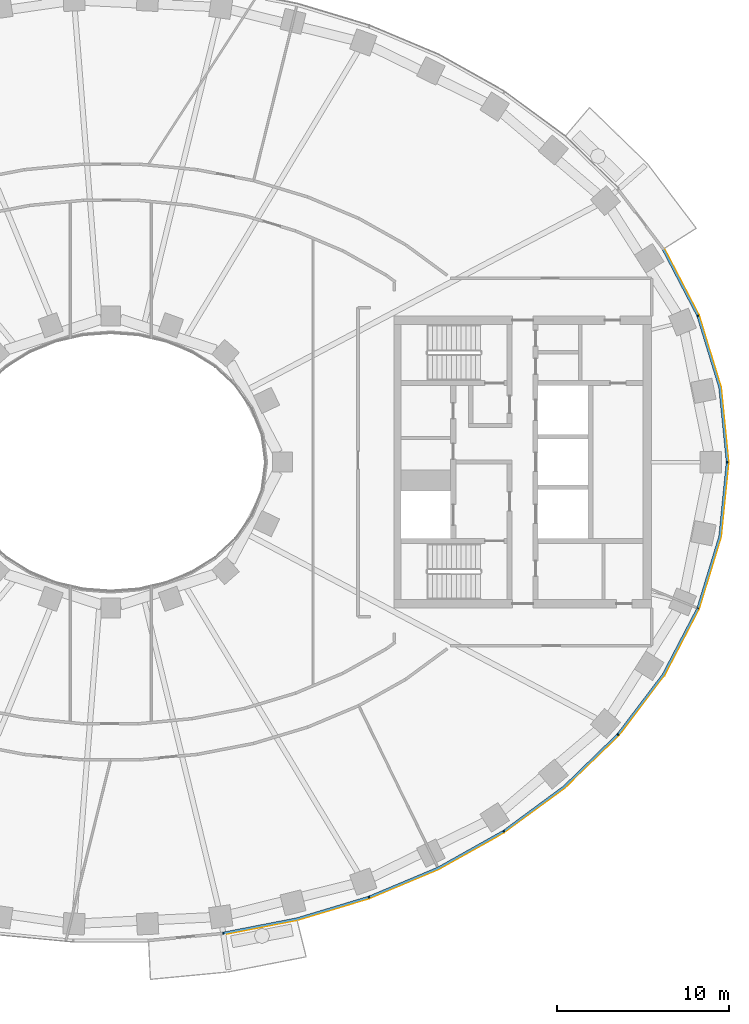
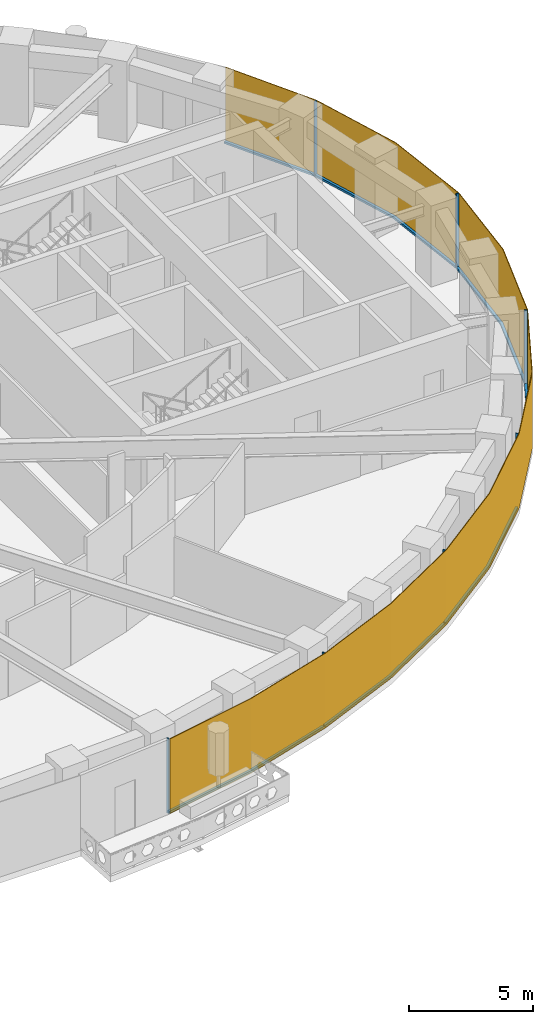
# One storey, part 10 of 16: 14 members, 1 curtain wall.
"""IFC4 building model written with IfcOpenShell, lengths in metres."""

from ifc_helpers import new_model, si_unit, direction, frame, origin, origin_2d, place, context, subcontext, project, spatial, polyline, rectangle, outline, extrude, material, layer, layer_set, material_profile, profile_set, type_object, element, aggregate, save


model = new_model("IFC4")

# Units and contexts
model_context = context("Model", 3, precision=1e-05, world=origin(), true_north=direction((0.0, 1.0)))
body_context = subcontext(model_context, "Body", "Model", "MODEL_VIEW")
ifc_project = project(units=[si_unit("LENGTHUNIT", "METRE"), si_unit("AREAUNIT", "SQUARE_METRE"), si_unit("VOLUMEUNIT", "CUBIC_METRE"), si_unit("PLANEANGLEUNIT", "RADIAN"), si_unit("MASSUNIT", "GRAM", prefix="KILO")], contexts=[model_context])

# Member
ifc_material_1 = material(Name="Aluminium 6063-T6 black anodised", Category="aluminium")
ifc_material_profile = material_profile(ifc_material_1, rectangle(XDim=0.1201171875, YDim=0.06005859375, at=origin_2d()), Name="120x60")
ifc_profile_set = profile_set([ifc_material_profile], Name="Aluminium 6063-T6 black anodised")
member_type_1 = type_object("IfcMemberType", Name="ENV-MULLION-A-120", PredefinedType="MULLION", material=ifc_profile_set)
site_placement = place(None, origin())
building_placement = place(site_placement, origin())
storey_placement = place(building_placement, frame((0.0, 0.0, 132.0)))
member_1_placement = place(storey_placement, frame((6.54638671875, -27.440185546875, 0.0), z_axis=(0.0, 0.0, 1.0), x_axis=(-0.143082012705, 0.989710835366, 0.0)))
member_1 = element("IfcMember", 1, at=member_1_placement, type_object=member_type_1, Name="Mullion A radial 37", PredefinedType="MULLION", context=body_context, shape_type="SweptSolid", body=[
    extrude(rectangle(XDim=0.1201171875, YDim=0.06005859375, at=origin_2d()), origin(), (0.0, 0.0, 1.0), 3.699951171875),
])

member_2_placement = place(storey_placement, frame((15.0341796875, -25.34375, 0.0), z_axis=(0.0, 0.0, 1.0), x_axis=(-0.338379256581, 0.941009818608, 0.0)))
member_2 = element("IfcMember", 2, at=member_2_placement, type_object=member_type_1, Name="Mullion A radial 39", PredefinedType="MULLION", context=body_context, shape_type="SweptSolid", body=[
    extrude(rectangle(XDim=0.1201171875, YDim=0.06005859375, at=origin_2d()), origin(), (0.0, 0.0, 1.0), 3.699951171875),
])

member_3_placement = place(storey_placement, frame((22.882568359375, -21.506591796875, 0.0), z_axis=(0.0, 0.0, 1.0), x_axis=(-0.542279153225, 0.840198381323, 0.0)))
member_3 = element("IfcMember", 3, at=member_3_placement, type_object=member_type_1, Name="Mullion A radial 41", PredefinedType="MULLION", context=body_context, shape_type="SweptSolid", body=[
    extrude(rectangle(XDim=0.1201171875, YDim=0.06005859375, at=origin_2d()), origin(), (0.0, 0.0, 1.0), 3.699951171875),
])

member_4_placement = place(storey_placement, frame((29.53857421875, -15.8671875, 0.0), z_axis=(0.0, 0.0, 1.0), x_axis=(-0.749047221705, 0.662516610853, 0.0)))
member_4 = element("IfcMember", 4, at=member_4_placement, type_object=member_type_1, Name="Mullion A radial 43", PredefinedType="MULLION", context=body_context, shape_type="SweptSolid", body=[
    extrude(rectangle(XDim=0.1201171875, YDim=0.06005859375, at=origin_2d()), origin(), (0.0, 0.0, 1.0), 3.699951171875),
])

member_5_placement = place(storey_placement, frame((34.19580078125, -8.513916015625, 0.0), z_axis=(0.0, 0.0, 1.0), x_axis=(-0.92546738067, 0.378827305398, 0.0)))
member_5 = element("IfcMember", 5, at=member_5_placement, type_object=member_type_1, Name="Mullion A radial 45", PredefinedType="MULLION", context=body_context, shape_type="SweptSolid", body=[
    extrude(rectangle(XDim=0.1201171875, YDim=0.06005859375, at=origin_2d()), origin(), (0.0, 0.0, 1.0), 3.699951171875),
])

member_6_placement = place(storey_placement, frame((35.907958984375, 0.0, 0.0), z_axis=(0.0, 0.0, 1.0), x_axis=(-1.0, 0.0, 0.0)))
member_6 = element("IfcMember", 6, at=member_6_placement, type_object=member_type_1, Name="Mullion A radial 01", PredefinedType="MULLION", context=body_context, shape_type="SweptSolid", body=[
    extrude(rectangle(XDim=0.1201171875, YDim=0.06005859375, at=origin_2d()), origin(), (0.0, 0.0, 1.0), 3.699951171875),
])

member_7_placement = place(storey_placement, frame((34.19580078125, 8.513916015625, 0.0), z_axis=(0.0, 0.0, 1.0), x_axis=(-0.92546738067, -0.378827305398, 0.0)))
member_7 = element("IfcMember", 7, at=member_7_placement, type_object=member_type_1, Name="Mullion A radial 03", PredefinedType="MULLION", context=body_context, shape_type="SweptSolid", body=[
    extrude(rectangle(XDim=0.1201171875, YDim=0.06005859375, at=origin_2d()), origin(), (0.0, 0.0, 1.0), 3.699951171875),
])

ifc_material_2 = material(Name="Aluminium 6063-T6 black anodised", Category="aluminium")
member_type_2 = type_object("IfcMemberType", Name="ENV-TRANSOM-A", PredefinedType="USERDEFINED", material=ifc_material_2)
member_8_placement = place(storey_placement, origin())
member_8 = element("IfcMember", 8, at=member_8_placement, type_object=member_type_2, Name="Transom A radial 37-39", ObjectType="TRANSOM", PredefinedType="USERDEFINED", context=body_context, shape_type="SweptSolid", body=[
    extrude(outline(polyline([(6.58251953125, -27.494140625), (10.857666015625, -26.6630859375), (15.027587890625, -25.408203125), (14.987060546875, -25.295166015625), (10.828857421875, -26.54638671875), (6.5654296875, -27.375244140625), (6.58251953125, -27.494140625)])), origin(), (0.0, 0.0, 1.0), 0.10009765625),
])

member_9_placement = place(storey_placement, origin())
member_9 = element("IfcMember", 9, at=member_9_placement, type_object=member_type_2, Name="Transom A radial 39-41", ObjectType="TRANSOM", PredefinedType="USERDEFINED", context=body_context, shape_type="SweptSolid", body=[
    extrude(outline(polyline([(15.080322265625, -25.389404296875), (19.093994140625, -23.701416015625), (22.890625, -21.570556640625), (22.825439453125, -21.469482421875), (19.041259765625, -23.593505859375), (15.03955078125, -25.276123046875), (15.080322265625, -25.389404296875)])), origin(), (0.0, 0.0, 1.0), 0.10009765625),
])

member_10_placement = place(storey_placement, origin())
member_10 = element("IfcMember", 10, at=member_10_placement, type_object=member_type_2, Name="Transom A radial 41-43", ObjectType="TRANSOM", PredefinedType="USERDEFINED", context=body_context, shape_type="SweptSolid", body=[
    extrude(outline(polyline([(22.937744140625, -21.540283203125), (26.4423828125, -18.958740234375), (29.5634765625, -15.926513671875), (29.473388671875, -15.8466796875), (26.364501953125, -18.866943359375), (22.87255859375, -21.439208984375), (22.937744140625, -21.540283203125)])), origin(), (0.0, 0.0, 1.0), 0.10009765625),
])

member_11_placement = place(storey_placement, origin())
member_11 = element("IfcMember", 11, at=member_11_placement, type_object=member_type_2, Name="Transom A radial 43-45", ObjectType="TRANSOM", PredefinedType="USERDEFINED", context=body_context, shape_type="SweptSolid", body=[
    extrude(outline(polyline([(29.6005859375, -15.884521484375), (32.22802734375, -12.41748046875), (34.23828125, -8.5615234375), (34.126708984375, -8.515869140625), (32.126220703125, -12.35302734375), (29.51025390625, -15.8046875), (29.6005859375, -15.884521484375)])), origin(), (0.0, 0.0, 1.0), 0.10009765625),
])

member_12_placement = place(storey_placement, origin())
member_12 = element("IfcMember", 12, at=member_12_placement, type_object=member_type_2, Name="Transom A radial 45-01", ObjectType="TRANSOM", PredefinedType="USERDEFINED", context=body_context, shape_type="SweptSolid", body=[
    extrude(outline(polyline([(34.259521484375, -8.509765625), (35.529541015625, -4.352294921875), (35.965087890625, -0.02783203125), (35.844482421875, -0.02783203125), (35.411376953125, -4.32861328125), (34.14794921875, -8.464111328125), (34.259521484375, -8.509765625)])), origin(), (0.0, 0.0, 1.0), 0.10009765625),
])

member_13_placement = place(storey_placement, origin())
member_13 = element("IfcMember", 13, at=member_13_placement, type_object=member_type_2, Name="Transom A radial 01-03", ObjectType="TRANSOM", PredefinedType="USERDEFINED", context=body_context, shape_type="SweptSolid", body=[
    extrude(outline(polyline([(35.965087890625, 0.02783203125), (35.529541015625, 4.352294921875), (34.259521484375, 8.509765625), (34.14794921875, 8.464111328125), (35.411376953125, 4.32861328125), (35.844482421875, 0.02783203125), (35.965087890625, 0.02783203125)])), origin(), (0.0, 0.0, 1.0), 0.10009765625),
])

member_14_placement = place(storey_placement, origin())
member_14 = element("IfcMember", 14, at=member_14_placement, type_object=member_type_2, Name="Transom A radial 03-04", ObjectType="TRANSOM", PredefinedType="USERDEFINED", context=body_context, shape_type="SweptSolid", body=[
    extrude(outline(polyline([(34.23828125, 8.5615234375), (32.2373046875, 12.39990234375), (32.135498046875, 12.33544921875), (34.126708984375, 8.515869140625), (34.23828125, 8.5615234375)])), origin(), (0.0, 0.0, 1.0), 0.10009765625),
])

# Site, building, storey
site = spatial("IfcSite", under=ifc_project, at=site_placement, CompositionType="ELEMENT")
building = spatial("IfcBuilding", under=site, at=building_placement, Name="Noorbagh Ring Tower", CompositionType="ELEMENT")
storey = spatial("IfcBuildingStorey", under=building, at=storey_placement, Name="L30", CompositionType="ELEMENT", Elevation=132.0)

# Curtain wall
ifc_material_3 = material(Name="Glass dark tinted laminated", Category="glass")
ifc_layer = layer(ifc_material_3, 0.031982421875)
ifc_layer_set = layer_set([ifc_layer], Name="Glass dark tinted laminated")
curtain_wall_type = type_object("IfcCurtainWallType", Name="ENV-CW-A", PredefinedType="NOTDEFINED", material=ifc_layer_set)
curtain_wall_placement = place(storey_placement, origin())
curtain_wall = element("IfcCurtainWall", 15, at=curtain_wall_placement, inside=storey, type_object=curtain_wall_type, Name="Curtain wall A R37", PredefinedType="NOTDEFINED", context=body_context, shape_type="SweptSolid", body=[
    extrude(outline(polyline([(6.579345703125, -27.52734375), (10.865234375, -26.6943359375), (15.065185546875, -25.430419921875), (19.108154296875, -23.730224609375), (22.9326171875, -21.583740234375), (26.463134765625, -18.9833984375), (29.607666015625, -15.927978515625), (32.255126953125, -12.434814453125), (34.281005859375, -8.548828125), (35.561279296875, -4.358642578125), (36.0, 0.0), (35.561279296875, 4.358642578125), (34.281005859375, 8.548828125), (32.264404296875, 12.4169921875), (32.2373046875, 12.39990234375), (34.251220703125, 8.53662109375), (35.529541015625, 4.352294921875), (35.9677734375, 0.0), (35.529541015625, -4.352294921875), (34.251220703125, -8.53662109375), (32.22802734375, -12.41748046875), (29.58349609375, -15.906982421875), (26.4423828125, -18.958740234375), (22.9150390625, -21.556884765625), (19.093994140625, -23.701416015625), (15.054443359375, -25.400146484375), (10.857666015625, -26.6630859375), (6.57470703125, -27.49560546875), (6.579345703125, -27.52734375)])), origin(), (0.0, 0.0, 1.0), 3.699951171875),
])

aggregate(curtain_wall, [member_1, member_2, member_3, member_4, member_5, member_6, member_7, member_8, member_9, member_10, member_11, member_12, member_13, member_14])

save(model, "model.ifc")
